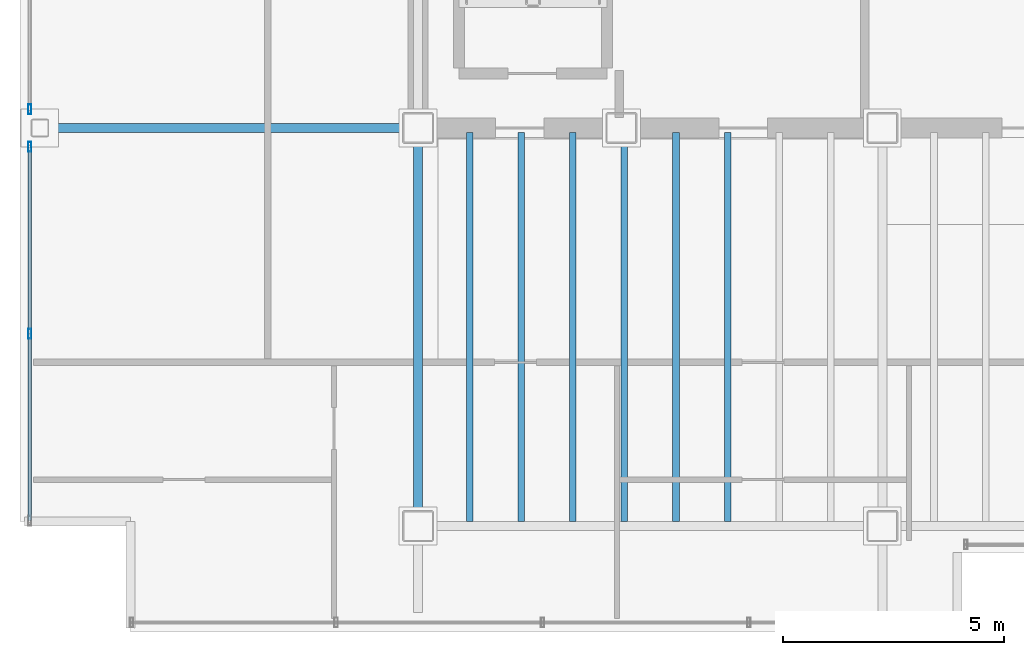
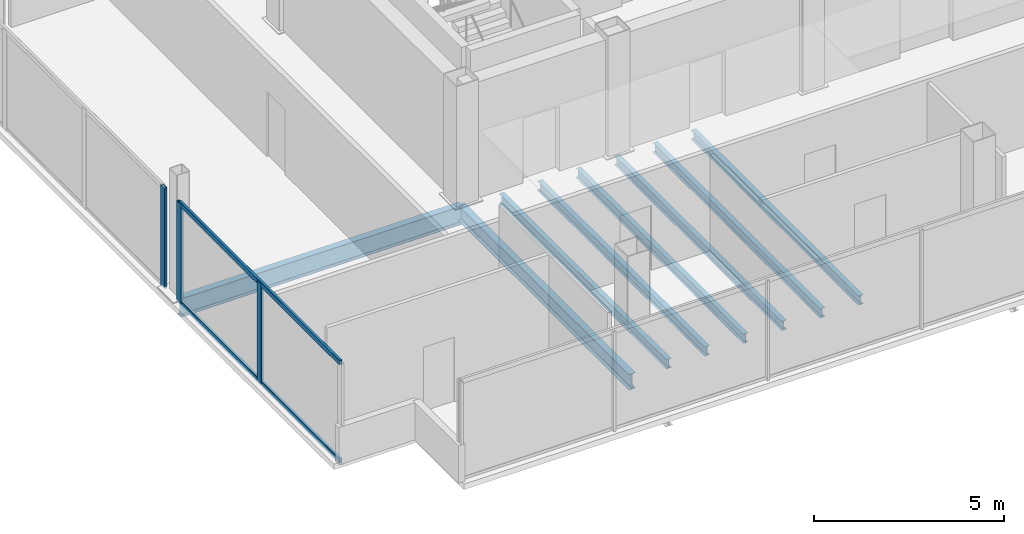
# One storey, part 4 of 17: 8 beams, 5 members, 2 elements without a shape of their own.
"""IFC4 building model written with IfcOpenShell, lengths in metres."""

from ifc_helpers import new_model, si_unit, direction, frame, origin, origin_2d, place, context, subcontext, project, spatial, hollow_rectangle, i_section, extrude, material, material_profile, profile_set, type_object, element, aggregate, save


model = new_model("IFC4")

# Units and contexts
model_context = context("Model", 3, precision=1e-05, world=origin(), true_north=direction((0.0, 1.0)))
body_context = subcontext(model_context, "Body", "Model", "MODEL_VIEW")
ifc_project = project(units=[si_unit("LENGTHUNIT", "METRE"), si_unit("AREAUNIT", "SQUARE_METRE"), si_unit("VOLUMEUNIT", "CUBIC_METRE"), si_unit("PLANEANGLEUNIT", "RADIAN"), si_unit("MASSUNIT", "GRAM", prefix="KILO")], contexts=[model_context])

# Site, building, storey
site_placement = place(None, origin())
site = spatial("IfcSite", under=ifc_project, at=site_placement, CompositionType="ELEMENT")
building_placement = place(site_placement, origin())
building = spatial("IfcBuilding", under=site, at=building_placement, Name="Noeulbin Bourse Tower", CompositionType="ELEMENT")
storey_placement = place(building_placement, frame((0.0, 0.0, 273.5)))
storey = spatial("IfcBuildingStorey", under=building, at=storey_placement, Name="L68", CompositionType="ELEMENT", Elevation=273.5)

# Beams
ifc_material_1 = material(Name="Steel S355", Category="steel")
ifc_material_profile_1 = material_profile(ifc_material_1, i_section(OverallWidth=0.199951171875, OverallDepth=0.5, WebThickness=0.010009765625, FlangeThickness=0.01611328125, FilletRadius=0.02001953125, at=origin_2d()), Name="H-500x200x10x16", Category="LoadBearing")
ifc_profile_set_1 = profile_set([ifc_material_profile_1], Name="Steel S355")
beam_type_1 = type_object("IfcBeamType", Name="BM-GRD-500", PredefinedType="USERDEFINED", material=ifc_profile_set_1)
beam_1_placement = place(storey_placement, frame((13.5, 20.0, -0.429931640625), z_axis=(0.0, 1.0, 0.0), x_axis=(-1.0, 0.0, 0.0)))
element("IfcBeam", 1, at=beam_1_placement, inside=storey, type_object=beam_type_1, Name="Tower Primary Girder NS L68-1.2", ObjectType="GIRDER", PredefinedType="USERDEFINED", context=body_context, shape_type="SweptSolid", body=[
    extrude(i_section(OverallWidth=0.199951171875, OverallDepth=0.5, WebThickness=0.010009765625, FlangeThickness=0.01611328125, FilletRadius=0.02001953125, at=origin_2d()), origin(), (0.0, 0.0, 1.0), 9.0),
])
ifc_material_profile_2 = material_profile(ifc_material_1, i_section(OverallWidth=0.199951171875, OverallDepth=0.60009765625, WebThickness=0.010986328125, FlangeThickness=0.01708984375, FilletRadius=0.02197265625, at=origin_2d()), Name="H-600x200x11x17", Category="LoadBearing")
ifc_profile_set_2 = profile_set([ifc_material_profile_2], Name="Steel S355")
beam_type_2 = type_object("IfcBeamType", Name="BM-GRD-600", PredefinedType="USERDEFINED", material=ifc_profile_set_2)
beam_2_placement = place(storey_placement, frame((4.949951171875, 29.0, -0.47998046875), z_axis=(1.0, 0.0, 0.0), x_axis=(0.0, 1.0, 0.0)))
element("IfcBeam", 2, at=beam_2_placement, inside=storey, type_object=beam_type_2, Name="Tower Primary Girder EW L68-2.1", ObjectType="GIRDER", PredefinedType="USERDEFINED", context=body_context, shape_type="SweptSolid", body=[
    extrude(i_section(OverallWidth=0.199951171875, OverallDepth=0.60009765625, WebThickness=0.010986328125, FlangeThickness=0.01708984375, FilletRadius=0.02197265625, at=origin_2d()), origin(), (0.0, 0.0, 1.0), 8.550048828125),
])
ifc_material_profile_3 = material_profile(ifc_material_1, i_section(OverallWidth=0.14990234375, OverallDepth=0.300048828125, WebThickness=0.006591796875, FlangeThickness=0.009033203125, FilletRadius=0.012939453125, at=origin_2d()), Name="H-300x150x6.5x9", Category="LoadBearing")
ifc_profile_set_3 = profile_set([ifc_material_profile_3], Name="Steel S355")
beam_type_3 = type_object("IfcBeamType", Name="BM-JST-300", PredefinedType="JOIST", material=ifc_profile_set_3)
for number, where, z_axis, x_axis, name in (
    (3, (14.666748046875, 20.10009765625, -0.330078125), (0.0, 1.0, 0.0), (-1.0, 0.0, 0.0), "Tower Composite Joist L68-01"),
    (4, (15.833251953125, 20.10009765625, -0.330078125), (0.0, 1.0, 0.0), (-1.0, 0.0, 0.0), "Tower Composite Joist L68-03"),
    (5, (17.0, 20.10009765625, -0.330078125), (0.0, 1.0, 0.0), (-1.0, 0.0, 0.0), "Tower Composite Joist L68-05"),
    (6, (18.166748046875, 20.10009765625, -0.330078125), (0.0, 1.0, 0.0), (-1.0, 0.0, 0.0), "Tower Composite Joist L68-07"),
    (7, (19.333251953125, 20.10009765625, -0.330078125), (0.0, 1.0, 0.0), (-1.0, 0.0, 0.0), "Tower Composite Joist L68-09"),
    (8, (20.5, 20.10009765625, -0.330078125), (0.0, 1.0, 0.0), (-1.0, 0.0, 0.0), "Tower Composite Joist L68-11"),
):
    element("IfcBeam", number, at=place(storey_placement, frame(where, z_axis=z_axis, x_axis=x_axis)), inside=storey, type_object=beam_type_3, Name=name, PredefinedType="JOIST", context=body_context, shape_type="SweptSolid", body=[
        extrude(i_section(OverallWidth=0.14990234375, OverallDepth=0.300048828125, WebThickness=0.006591796875, FlangeThickness=0.009033203125, FilletRadius=0.012939453125, at=origin_2d()), origin(), (0.0, 0.0, 1.0), 8.7998046875),
    ])

# Curtain wall, members
ifc_material_2 = material(Name="High-Selectivity Low-Iron Glazing", Category="glass")
curtain_wall_type = type_object("IfcCurtainWallType", Name="CW-SYS-4", PredefinedType="NOTDEFINED", material=ifc_material_2)
curtain_wall_1_placement = place(storey_placement, origin())
curtain_wall_1 = element("IfcCurtainWall", 9, at=curtain_wall_1_placement, inside=storey, type_object=curtain_wall_type, Name="Unitised Curtain Wall CW-L68-W-S1", PredefinedType="NOTDEFINED")
ifc_material_3 = material(Name="Anodised Aluminium 6063-T6", Category="aluminium")
ifc_material_profile_4 = material_profile(ifc_material_3, hollow_rectangle(XDim=0.074951171875, YDim=0.219970703125, WallThickness=0.0048828125, InnerFilletRadius=0.00244140625, OuterFilletRadius=0.0048828125, at=origin_2d()), Name="ALU-MULL-75x220x5", Category="LoadBearing")
ifc_profile_set_4 = profile_set([ifc_material_profile_4], Name="Anodised Aluminium 6063-T6")
member_type_1 = type_object("IfcMemberType", Name="CW-SYS-4-MUL", PredefinedType="MULLION", material=ifc_profile_set_4)
member_1_placement = place(storey_placement, frame((4.719970703125, 24.347412109375, -0.02001953125), z_axis=(0.0, 0.0, 1.0), x_axis=(1.0, 0.0, 0.0)))
member_1 = element("IfcMember", 10, at=member_1_placement, type_object=member_type_1, Name="Curtain Wall Mullion CW-L68-W-S1-M01", PredefinedType="MULLION", context=body_context, shape_type="SweptSolid", body=[
    extrude(hollow_rectangle(XDim=0.074951171875, YDim=0.219970703125, WallThickness=0.0048828125, InnerFilletRadius=0.00244140625, OuterFilletRadius=0.0048828125, at=origin_2d()), origin(), (0.0, 0.0, 1.0), 3.219970703125),
])
member_2_placement = place(storey_placement, frame((4.719970703125, 28.574951171875, -0.02001953125), z_axis=(0.0, 0.0, 1.0), x_axis=(1.0, 0.0, 0.0)))
member_2 = element("IfcMember", 11, at=member_2_placement, type_object=member_type_1, Name="Curtain Wall Mullion CW-L68-W-S1-M02", PredefinedType="MULLION", context=body_context, shape_type="SweptSolid", body=[
    extrude(hollow_rectangle(XDim=0.074951171875, YDim=0.219970703125, WallThickness=0.0048828125, InnerFilletRadius=0.00244140625, OuterFilletRadius=0.0048828125, at=origin_2d()), origin(), (0.0, 0.0, 1.0), 3.219970703125),
])

# Curtain wall, member
curtain_wall_2_placement = place(storey_placement, origin())
curtain_wall_2 = element("IfcCurtainWall", 12, at=curtain_wall_2_placement, inside=storey, type_object=curtain_wall_type, Name="Unitised Curtain Wall CW-L68-W-S2", PredefinedType="NOTDEFINED")
member_3_placement = place(storey_placement, frame((4.719970703125, 29.425048828125, -0.02001953125), z_axis=(0.0, 0.0, 1.0), x_axis=(1.0, 0.0, 0.0)))
member_3 = element("IfcMember", 13, at=member_3_placement, type_object=member_type_1, Name="Curtain Wall Mullion CW-L68-W-S2-M00", PredefinedType="MULLION", context=body_context, shape_type="SweptSolid", body=[
    extrude(hollow_rectangle(XDim=0.074951171875, YDim=0.219970703125, WallThickness=0.0048828125, InnerFilletRadius=0.00244140625, OuterFilletRadius=0.0048828125, at=origin_2d()), origin(), (0.0, 0.0, 1.0), 3.219970703125),
])
aggregate(curtain_wall_2, [member_3])

# Member
ifc_material_profile_5 = material_profile(ifc_material_3, hollow_rectangle(XDim=0.074951171875, YDim=0.159912109375, WallThickness=0.0048828125, InnerFilletRadius=0.00244140625, OuterFilletRadius=0.0048828125, at=origin_2d()), Name="ALU-TRAN-75x160x5", Category="LoadBearing")
ifc_profile_set_5 = profile_set([ifc_material_profile_5], Name="Anodised Aluminium 6063-T6")
member_type_2 = type_object("IfcMemberType", Name="CW-SYS-4-TRN", PredefinedType="USERDEFINED", material=ifc_profile_set_5)
member_4_placement = place(storey_placement, frame((4.719970703125, 20.1298828125, 0.010009765625), z_axis=(0.0, 1.0, 0.0), x_axis=(-1.0, 0.0, 0.0)))
member_4 = element("IfcMember", 14, at=member_4_placement, type_object=member_type_2, Name="Curtain Wall Transom CW-L68-W-S1-T00", ObjectType="TRANSOM", PredefinedType="USERDEFINED", context=body_context, shape_type="SweptSolid", body=[
    extrude(hollow_rectangle(XDim=0.074951171875, YDim=0.159912109375, WallThickness=0.0048828125, InnerFilletRadius=0.00244140625, OuterFilletRadius=0.0048828125, at=origin_2d()), origin(), (0.0, 0.0, 1.0), 8.43505859375),
])

member_5_placement = place(storey_placement, frame((4.719970703125, 20.1298828125, 3.169921875), z_axis=(0.0, 1.0, 0.0), x_axis=(-1.0, 0.0, 0.0)))
member_5 = element("IfcMember", 15, at=member_5_placement, type_object=member_type_2, Name="Curtain Wall Transom CW-L68-W-S1-T01", ObjectType="TRANSOM", PredefinedType="USERDEFINED", context=body_context, shape_type="SweptSolid", body=[
    extrude(hollow_rectangle(XDim=0.074951171875, YDim=0.159912109375, WallThickness=0.0048828125, InnerFilletRadius=0.00244140625, OuterFilletRadius=0.0048828125, at=origin_2d()), origin(), (0.0, 0.0, 1.0), 8.43505859375),
])

aggregate(curtain_wall_1, [member_1, member_2, member_4, member_5])

save(model, "model.ifc")
